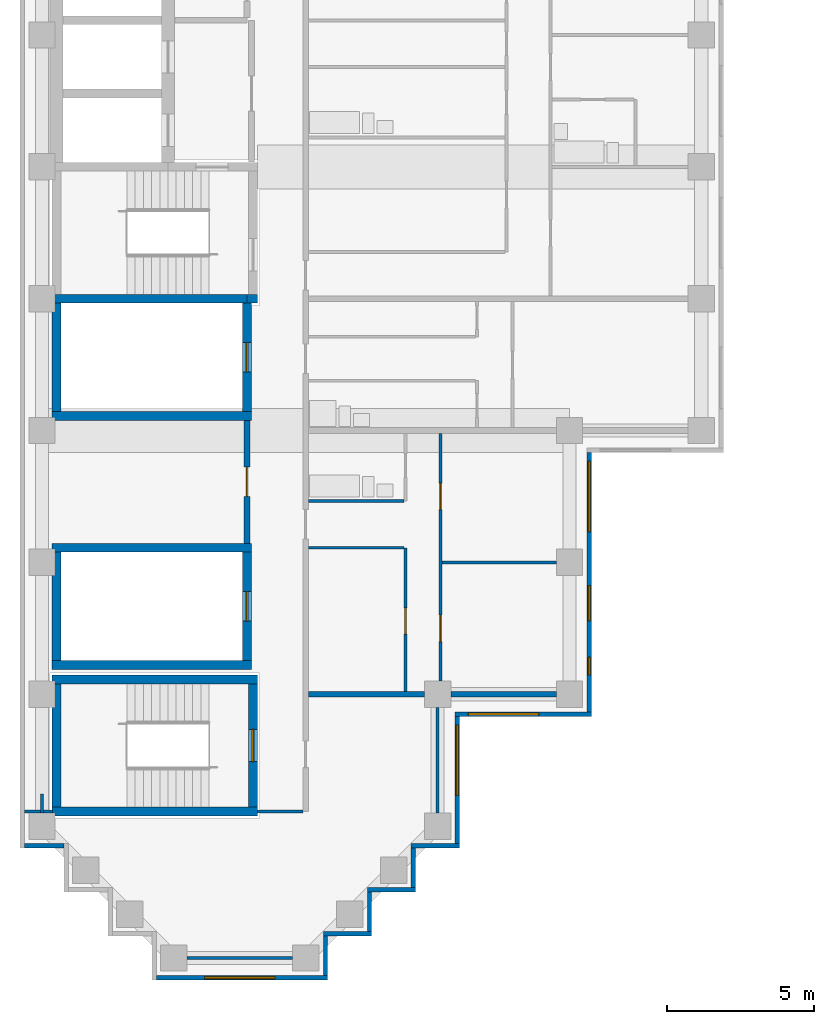
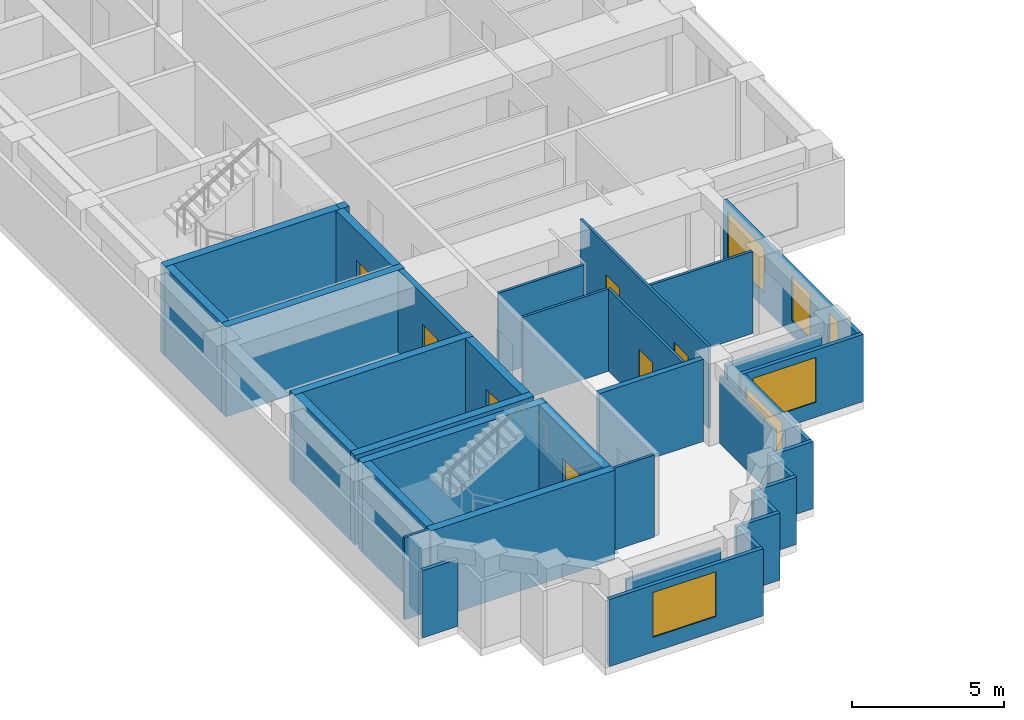
# One storey, part 2 of 10: 37 walls, 7 doors, 6 windows, 13 openings.
"""IFC4 building model written with IfcOpenShell, lengths in metres."""

from ifc_helpers import new_model, si_unit, direction, frame, frame_2d, origin, place, context, subcontext, project, spatial, rectangle, extrude, material, layer, layer_set, type_object, element, fill, save


model = new_model("IFC4")

# Units and contexts
model_context = context("Model", 3, precision=1e-05, world=origin(), true_north=direction((0.0, 1.0)))
body_context = subcontext(model_context, "Body", "Model", "MODEL_VIEW")
ifc_project = project(units=[si_unit("LENGTHUNIT", "METRE"), si_unit("AREAUNIT", "SQUARE_METRE"), si_unit("VOLUMEUNIT", "CUBIC_METRE"), si_unit("PLANEANGLEUNIT", "RADIAN"), si_unit("MASSUNIT", "GRAM", prefix="KILO")], contexts=[model_context])

# Site, building, storey
site_placement = place(None, origin())
site = spatial("IfcSite", under=ifc_project, at=site_placement, CompositionType="ELEMENT")
building_placement = place(site_placement, origin())
building = spatial("IfcBuilding", under=site, at=building_placement, Name="Firuza Court", CompositionType="ELEMENT")
storey_placement = place(building_placement, frame((0.0, 0.0, 189.800048828125)))
storey = spatial("IfcBuildingStorey", under=building, at=storey_placement, Name="L48", CompositionType="ELEMENT", Elevation=189.800048828125)

# Walls
ifc_material_1 = material(Name="Moisture-resistant gypsum board partition")
ifc_layer_1 = layer(ifc_material_1, 0.10009765625)
ifc_layer_set_1 = layer_set([ifc_layer_1], Name="Moisture-resistant gypsum board partition")
wall_type_1 = type_object("IfcWallType", Name="Bathroom partition 100", PredefinedType="PLUMBINGWALL", material=ifc_layer_set_1)
wall_1_placement = place(storey_placement, frame((9.10009765625, 15.60009765625, 0.0), z_axis=(0.0, 0.0, 1.0), x_axis=(1.0, 0.0, 0.0)))
element("IfcWall", 1, at=wall_1_placement, inside=storey, type_object=wall_type_1, Name="Bathroom partition 100 L48", PredefinedType="PLUMBINGWALL", context=body_context, shape_type="SweptSolid", body=[
    extrude(rectangle(XDim=3.25, YDim=0.10009765625, at=frame_2d((1.625, 0.0))), origin(), (0.0, 0.0, 1.0), 3.300048828125),
])
ifc_material_2 = material(Name="Concrete C50/60", Category="concrete")
ifc_layer_2 = layer(ifc_material_2, 0.300048828125)
ifc_layer_set_2 = layer_set([ifc_layer_2], Name="Concrete C50/60")
wall_type_2 = type_object("IfcWallType", Name="Core wall 300 C50/60", PredefinedType="SHEAR", material=ifc_layer_set_2)
for number, where, z_axis, x_axis, name in (
    (2, (0.35009765625, 5.0, -0.300048828125), (0.0, 0.0, 1.0), (1.0, 0.0, 0.0), "Core wall stair L48"),
    (3, (0.35009765625, 9.5, -0.300048828125), (0.0, 0.0, 1.0), (1.0, 0.0, 0.0), "Core wall stair L48"),
):
    element("IfcWall", number, at=place(storey_placement, frame(where, z_axis=z_axis, x_axis=x_axis)), inside=storey, type_object=wall_type_2, Name=name, PredefinedType="SHEAR", context=body_context, shape_type="SweptSolid", body=[
        extrude(rectangle(XDim=7.0, YDim=0.300048828125, at=frame_2d((3.5, 0.0))), origin(), (0.0, 0.0, 1.0), 3.60009765625),
    ])
for number, where, z_axis, x_axis, name in (
    (4, (0.35009765625, 10.0, -0.300048828125), (0.0, 0.0, 1.0), (1.0, 0.0, 0.0), "Core wall riser L48"),
    (5, (0.35009765625, 14.0, -0.300048828125), (0.0, 0.0, 1.0), (1.0, 0.0, 0.0), "Core wall riser L48"),
    (6, (0.35009765625, 18.5, -0.300048828125), (0.0, 0.0, 1.0), (1.0, 0.0, 0.0), "Core wall riser L48"),
):
    element("IfcWall", number, at=place(storey_placement, frame(where, z_axis=z_axis, x_axis=x_axis)), inside=storey, type_object=wall_type_2, Name=name, PredefinedType="SHEAR", context=body_context, shape_type="SweptSolid", body=[
        extrude(rectangle(XDim=6.7998046875, YDim=0.300048828125, at=frame_2d((3.39990234375, 0.0))), origin(), (0.0, 0.0, 1.0), 3.60009765625),
    ])
wall_2_placement = place(storey_placement, frame((0.35009765625, 22.5, -0.300048828125), z_axis=(0.0, 0.0, 1.0), x_axis=(1.0, 0.0, 0.0)))
element("IfcWall", 7, at=wall_2_placement, inside=storey, type_object=wall_type_2, Name="Core wall riser L48", PredefinedType="SHEAR", context=body_context, shape_type="SweptSolid", body=[
    extrude(rectangle(XDim=6.64990234375, YDim=0.300048828125, at=frame_2d((3.324951171875, 0.0))), origin(), (0.0, 0.0, 1.0), 3.60009765625),
])
wall_3_placement = place(storey_placement, frame((0.5, 5.14990234375, -0.300048828125), z_axis=(0.0, 0.0, 1.0), x_axis=(0.0, 1.0, 0.0)))
element("IfcWall", 8, at=wall_3_placement, inside=storey, type_object=wall_type_2, Name="Core wall stair L48", PredefinedType="SHEAR", context=body_context, shape_type="SweptSolid", body=[
    extrude(rectangle(XDim=4.2001953125, YDim=0.300048828125, at=frame_2d((2.10009765625, 0.0))), origin(), (0.0, 0.0, 1.0), 3.60009765625),
])
for number, where, z_axis, x_axis, name in (
    (9, (0.5, 10.14990234375, -0.300048828125), (0.0, 0.0, 1.0), (0.0, 1.0, 0.0), "Core wall riser L48"),
    (10, (0.5, 18.64990234375, -0.300048828125), (0.0, 0.0, 1.0), (0.0, 1.0, 0.0), "Core wall riser L48"),
):
    element("IfcWall", number, at=place(storey_placement, frame(where, z_axis=z_axis, x_axis=x_axis)), inside=storey, type_object=wall_type_2, Name=name, PredefinedType="SHEAR", context=body_context, shape_type="SweptSolid", body=[
        extrude(rectangle(XDim=3.7001953125, YDim=0.300048828125, at=frame_2d((1.85009765625, 0.0))), origin(), (0.0, 0.0, 1.0), 3.60009765625),
    ])

# Wall, opening, door
wall_4_placement = place(storey_placement, frame((7.0, 10.14990234375, -0.300048828125), z_axis=(0.0, 0.0, 1.0), x_axis=(0.0, 1.0, 0.0)))
wall_4 = element("IfcWall", 11, at=wall_4_placement, inside=storey, type_object=wall_type_2, Name="Core wall riser L48", PredefinedType="SHEAR", context=body_context, shape_type="SweptSolid", body=[
    extrude(rectangle(XDim=3.7001953125, YDim=0.300048828125, at=frame_2d((1.85009765625, 0.0))), origin(), (0.0, 0.0, 1.0), 3.60009765625),
])
opening_1_placement = place(wall_4_placement, frame((1.35009765625, 0.0, 0.300048828125)))
opening_1 = element("IfcOpeningElement", 12, at=opening_1_placement, cuts=wall_4, Name="Opening D48010", PredefinedType="OPENING", context=body_context, shape_type="SweptSolid", body=[
    extrude(rectangle(XDim=1.0, YDim=2.10009765625, at=frame_2d((0.5, 1.050048828125))), frame((0.0, 0.162109375, 0.0), z_axis=(0.0, -1.0, 0.0), x_axis=(1.0, 0.0, 0.0)), (0.0, 0.0, 1.0), 0.323974609375),
])
ifc_material_3 = material(Name="Timber door leaf in hardwood frame", Category="wood")
door_type_1 = type_object("IfcDoorType", Name="Riser door 1000", OperationType="SINGLE_SWING_LEFT", PredefinedType="DOOR", material=ifc_material_3)
door_1_placement = place(opening_1_placement, origin())
door_1 = element("IfcDoor", 13, at=door_1_placement, inside=storey, type_object=door_type_1, Name="Riser door R4", OperationType="SINGLE_SWING_LEFT", OverallHeight=2.10009765625, OverallWidth=1.0, PredefinedType="DOOR", context=body_context, shape_type="SweptSolid", body=[
    extrude(rectangle(XDim=1.0, YDim=2.10009765625, at=frame_2d((0.5, 1.050048828125))), frame((0.0, 0.02490234375, 0.0), z_axis=(0.0, -1.0, 0.0), x_axis=(1.0, 0.0, 0.0)), (0.0, 0.0, 1.0), 0.050048828125),
])
fill(opening_1, door_1)

wall_5_placement = place(storey_placement, frame((7.0, 18.64990234375, -0.300048828125), z_axis=(0.0, 0.0, 1.0), x_axis=(0.0, 1.0, 0.0)))
wall_5 = element("IfcWall", 14, at=wall_5_placement, inside=storey, type_object=wall_type_2, Name="Core wall riser L48", PredefinedType="SHEAR", context=body_context, shape_type="SweptSolid", body=[
    extrude(rectangle(XDim=3.7001953125, YDim=0.300048828125, at=frame_2d((1.85009765625, 0.0))), origin(), (0.0, 0.0, 1.0), 3.60009765625),
])
opening_2_placement = place(wall_5_placement, frame((1.35009765625, 0.0, 0.300048828125)))
opening_2 = element("IfcOpeningElement", 15, at=opening_2_placement, cuts=wall_5, Name="Opening D48008", PredefinedType="OPENING", context=body_context, shape_type="SweptSolid", body=[
    extrude(rectangle(XDim=1.0, YDim=2.10009765625, at=frame_2d((0.5, 1.050048828125))), frame((0.0, 0.162109375, 0.0), z_axis=(0.0, -1.0, 0.0), x_axis=(1.0, 0.0, 0.0)), (0.0, 0.0, 1.0), 0.323974609375),
])
door_2_placement = place(opening_2_placement, origin())
door_2 = element("IfcDoor", 16, at=door_2_placement, inside=storey, type_object=door_type_1, Name="Riser door R1", OperationType="SINGLE_SWING_LEFT", OverallHeight=2.10009765625, OverallWidth=1.0, PredefinedType="DOOR", context=body_context, shape_type="SweptSolid", body=[
    extrude(rectangle(XDim=1.0, YDim=2.10009765625, at=frame_2d((0.5, 1.050048828125))), frame((0.0, 0.02490234375, 0.0), z_axis=(0.0, -1.0, 0.0), x_axis=(1.0, 0.0, 0.0)), (0.0, 0.0, 1.0), 0.050048828125),
])
fill(opening_2, door_2)

# Wall
wall_6_placement = place(storey_placement, frame((7.0, 22.5, -0.300048828125), z_axis=(0.0, 0.0, 1.0), x_axis=(1.0, 0.0, 0.0)))
element("IfcWall", 17, at=wall_6_placement, inside=storey, type_object=wall_type_2, Name="Core wall stair L48", PredefinedType="SHEAR", context=body_context, shape_type="SweptSolid", body=[
    extrude(rectangle(XDim=0.35009765625, YDim=0.300048828125, at=frame_2d((0.175048828125, 0.0))), origin(), (0.0, 0.0, 1.0), 3.60009765625),
])

# Wall, opening, door
wall_7_placement = place(storey_placement, frame((7.199951171875, 5.14990234375, -0.300048828125), z_axis=(0.0, 0.0, 1.0), x_axis=(0.0, 1.0, 0.0)))
wall_7 = element("IfcWall", 18, at=wall_7_placement, inside=storey, type_object=wall_type_2, Name="Core wall stair L48", PredefinedType="SHEAR", context=body_context, shape_type="SweptSolid", body=[
    extrude(rectangle(XDim=4.2001953125, YDim=0.300048828125, at=frame_2d((2.10009765625, 0.0))), origin(), (0.0, 0.0, 1.0), 3.60009765625),
])
opening_3_placement = place(wall_7_placement, frame((1.550048828125, 0.0, 0.300048828125)))
opening_3 = element("IfcOpeningElement", 19, at=opening_3_placement, cuts=wall_7, Name="Opening D48015", PredefinedType="OPENING", context=body_context, shape_type="SweptSolid", body=[
    extrude(rectangle(XDim=1.10009765625, YDim=2.10009765625, at=frame_2d((0.550048828125, 1.050048828125))), frame((0.0, 0.162109375, 0.0), z_axis=(0.0, -1.0, 0.0), x_axis=(1.0, 0.0, 0.0)), (0.0, 0.0, 1.0), 0.323974609375),
])
ifc_material_4 = material(Name="Timber door leaf in hardwood frame", Category="wood")
door_type_2 = type_object("IfcDoorType", Name="Stair door 1100", OperationType="SINGLE_SWING_LEFT", PredefinedType="DOOR", material=ifc_material_4)
door_3_placement = place(opening_3_placement, origin())
door_3 = element("IfcDoor", 20, at=door_3_placement, inside=storey, type_object=door_type_2, Name="Stair door S5", OperationType="SINGLE_SWING_LEFT", OverallHeight=2.10009765625, OverallWidth=1.10009765625, PredefinedType="DOOR", context=body_context, shape_type="SweptSolid", body=[
    extrude(rectangle(XDim=1.10009765625, YDim=2.10009765625, at=frame_2d((0.550048828125, 1.050048828125))), frame((0.0, 0.02490234375, 0.0), z_axis=(0.0, -1.0, 0.0), x_axis=(1.0, 0.0, 0.0)), (0.0, 0.0, 1.0), 0.050048828125),
])
fill(opening_3, door_3)

ifc_material_5 = material(Name="Blockwork, plastered both sides", Category="masonry")
ifc_layer_3 = layer(ifc_material_5, 0.199951171875)
ifc_layer_set_3 = layer_set([ifc_layer_3], Name="Blockwork, plastered both sides")
wall_type_3 = type_object("IfcWallType", Name="Corridor wall 200", PredefinedType="PARTITIONING", material=ifc_layer_set_3)
wall_8_placement = place(storey_placement, frame((7.0, 14.14990234375, 0.0), z_axis=(0.0, 0.0, 1.0), x_axis=(0.0, 1.0, 0.0)))
wall_8 = element("IfcWall", 21, at=wall_8_placement, inside=storey, type_object=wall_type_3, Name="Corridor wall 200 L48", PredefinedType="PARTITIONING", context=body_context, shape_type="SweptSolid", body=[
    extrude(rectangle(XDim=4.2001953125, YDim=0.199951171875, at=frame_2d((2.10009765625, 0.0))), origin(), (0.0, 0.0, 1.0), 3.300048828125),
])
opening_4_placement = place(wall_8_placement, frame((1.60009765625, 0.0, 0.0)))
opening_4 = element("IfcOpeningElement", 22, at=opening_4_placement, cuts=wall_8, Name="Opening D48023", PredefinedType="OPENING", context=body_context, shape_type="SweptSolid", body=[
    extrude(rectangle(XDim=1.0, YDim=2.10009765625, at=frame_2d((0.5, 1.050048828125))), frame((0.0, 0.11181640625, 0.0), z_axis=(0.0, -1.0, 0.0), x_axis=(1.0, 0.0, 0.0)), (0.0, 0.0, 1.0), 0.223876953125),
])
ifc_material_6 = material(Name="Timber door leaf in hardwood frame", Category="wood")
door_type_3 = type_object("IfcDoorType", Name="Store door 1000", OperationType="SINGLE_SWING_LEFT", PredefinedType="DOOR", material=ifc_material_6)
door_4_placement = place(opening_4_placement, origin())
door_4 = element("IfcDoor", 23, at=door_4_placement, inside=storey, type_object=door_type_3, Name="Electrical room door", OperationType="SINGLE_SWING_LEFT", OverallHeight=2.10009765625, OverallWidth=1.0, PredefinedType="DOOR", context=body_context, shape_type="SweptSolid", body=[
    extrude(rectangle(XDim=1.0, YDim=2.10009765625, at=frame_2d((0.5, 1.050048828125))), frame((0.0, 0.02490234375, 0.0), z_axis=(0.0, -1.0, 0.0), x_axis=(1.0, 0.0, 0.0)), (0.0, 0.0, 1.0), 0.050048828125),
])
fill(opening_4, door_4)

# Walls
ifc_material_7 = material(Name="Timber stud partition, plasterboard both sides", Category="wood")
ifc_layer_4 = layer(ifc_material_7, 0.10009765625)
ifc_layer_set_4 = layer_set([ifc_layer_4], Name="Timber stud partition, plasterboard both sides")
wall_type_4 = type_object("IfcWallType", Name="Partition wall 100", PredefinedType="PARTITIONING", material=ifc_layer_set_4)
wall_9_placement = place(storey_placement, frame((4.949951171875, 0.0, 0.0), z_axis=(0.0, 0.0, 1.0), x_axis=(1.0, 0.0, 0.0)))
element("IfcWall", 24, at=wall_9_placement, inside=storey, type_object=wall_type_4, Name="Partition wall 100 L48", PredefinedType="PARTITIONING", context=body_context, shape_type="SweptSolid", body=[
    extrude(rectangle(XDim=3.60009765625, YDim=0.10009765625, at=frame_2d((1.800048828125, 0.0))), origin(), (0.0, 0.0, 1.0), 2.699951171875),
])
wall_10_placement = place(storey_placement, frame((0.0, 4.949951171875, 0.0), z_axis=(0.0, 0.0, 1.0), x_axis=(0.0, 1.0, 0.0)))
element("IfcWall", 25, at=wall_10_placement, inside=storey, type_object=wall_type_4, Name="Partition wall 100 L48", PredefinedType="PARTITIONING", context=body_context, shape_type="SweptSolid", body=[
    extrude(rectangle(XDim=0.650146484375, YDim=0.10009765625, at=frame_2d((0.3251953125, 0.0))), origin(), (0.0, 0.0, 1.0), 2.699951171875),
])
wall_11_placement = place(storey_placement, frame((13.5, 4.949951171875, 0.0), z_axis=(0.0, 0.0, 1.0), x_axis=(0.0, 1.0, 0.0)))
element("IfcWall", 26, at=wall_11_placement, inside=storey, type_object=wall_type_4, Name="Partition wall 100 L48", PredefinedType="PARTITIONING", context=body_context, shape_type="SweptSolid", body=[
    extrude(rectangle(XDim=3.60009765625, YDim=0.10009765625, at=frame_2d((1.800048828125, 0.0))), origin(), (0.0, 0.0, 1.0), 2.699951171875),
])
wall_12_placement = place(storey_placement, frame((-0.60009765625, 5.0, 0.0), z_axis=(0.0, 0.0, 1.0), x_axis=(1.0, 0.0, 0.0)))
element("IfcWall", 27, at=wall_12_placement, inside=storey, type_object=wall_type_4, Name="Partition wall 100 L48", PredefinedType="PARTITIONING", context=body_context, shape_type="SweptSolid", body=[
    extrude(rectangle(XDim=0.951171875, YDim=0.10009765625, at=frame_2d((0.4755859375, 0.0))), origin(), (0.0, 0.0, 1.0), 3.300048828125),
])
wall_13_placement = place(storey_placement, frame((7.34912109375, 5.0, 0.0), z_axis=(0.0, 0.0, 1.0), x_axis=(1.0, 0.0, 0.0)))
element("IfcWall", 28, at=wall_13_placement, inside=storey, type_object=wall_type_4, Name="Partition wall 100 L48", PredefinedType="PARTITIONING", context=body_context, shape_type="SweptSolid", body=[
    extrude(rectangle(XDim=1.55078125, YDim=0.10009765625, at=frame_2d((0.775390625, 0.0))), origin(), (0.0, 0.0, 1.0), 3.300048828125),
])

# Wall, opening, door
wall_14_placement = place(storey_placement, frame((12.39990234375, 9.10009765625, 0.0), z_axis=(0.0, 0.0, 1.0), x_axis=(0.0, 1.0, 0.0)))
wall_14 = element("IfcWall", 29, at=wall_14_placement, inside=storey, type_object=wall_type_4, Name="Partition wall 100 L48", PredefinedType="PARTITIONING", context=body_context, shape_type="SweptSolid", body=[
    extrude(rectangle(XDim=4.89990234375, YDim=0.10009765625, at=frame_2d((2.449951171875, 0.0))), origin(), (0.0, 0.0, 1.0), 3.300048828125),
])
opening_5_placement = place(wall_14_placement, frame((1.949951171875, 0.0, 0.0)))
opening_5 = element("IfcOpeningElement", 30, at=opening_5_placement, cuts=wall_14, Name="Opening D48020", PredefinedType="OPENING", context=body_context, shape_type="SweptSolid", body=[
    extrude(rectangle(XDim=0.89990234375, YDim=2.10009765625, at=frame_2d((0.449951171875, 1.050048828125))), frame((0.0, 0.06201171875, 0.0), z_axis=(0.0, -1.0, 0.0), x_axis=(1.0, 0.0, 0.0)), (0.0, 0.0, 1.0), 0.1240234375),
])
ifc_material_8 = material(Name="Timber door leaf in hardwood frame", Category="wood")
door_type_4 = type_object("IfcDoorType", Name="Room door 900", OperationType="SINGLE_SWING_LEFT", PredefinedType="DOOR", material=ifc_material_8)
door_5_placement = place(opening_5_placement, origin())
door_5 = element("IfcDoor", 31, at=door_5_placement, inside=storey, type_object=door_type_4, Name="Kitchen door", OperationType="SINGLE_SWING_LEFT", OverallHeight=2.10009765625, OverallWidth=0.89990234375, PredefinedType="DOOR", context=body_context, shape_type="SweptSolid", body=[
    extrude(rectangle(XDim=0.89990234375, YDim=2.10009765625, at=frame_2d((0.449951171875, 1.050048828125))), frame((0.0, 0.02490234375, 0.0), z_axis=(0.0, -1.0, 0.0), x_axis=(1.0, 0.0, 0.0)), (0.0, 0.0, 1.0), 0.050048828125),
])
fill(opening_5, door_5)

# Wall, openings, doors
wall_15_placement = place(storey_placement, frame((13.60009765625, 9.449951171875, 0.0), z_axis=(0.0, 0.0, 1.0), x_axis=(0.0, 1.0, 0.0)))
wall_15 = element("IfcWall", 32, at=wall_15_placement, inside=storey, type_object=wall_type_4, Name="Partition wall 100 L48", PredefinedType="PARTITIONING", context=body_context, shape_type="SweptSolid", body=[
    extrude(rectangle(XDim=8.449951171875, YDim=0.10009765625, at=frame_2d((4.22509765625, 0.0))), origin(), (0.0, 0.0, 1.0), 3.300048828125),
])
opening_6_placement = place(wall_15_placement, frame((1.35009765625, 0.0, 0.0)))
opening_6 = element("IfcOpeningElement", 33, at=opening_6_placement, cuts=wall_15, Name="Opening D48021", PredefinedType="OPENING", context=body_context, shape_type="SweptSolid", body=[
    extrude(rectangle(XDim=0.89990234375, YDim=2.10009765625, at=frame_2d((0.449951171875, 1.050048828125))), frame((0.0, 0.06201171875, 0.0), z_axis=(0.0, -1.0, 0.0), x_axis=(1.0, 0.0, 0.0)), (0.0, 0.0, 1.0), 0.1240234375),
])
opening_7_placement = place(wall_15_placement, frame((5.85009765625, 0.0, 0.0)))
opening_7 = element("IfcOpeningElement", 34, at=opening_7_placement, cuts=wall_15, Name="Opening D48022", PredefinedType="OPENING", context=body_context, shape_type="SweptSolid", body=[
    extrude(rectangle(XDim=0.89990234375, YDim=2.10009765625, at=frame_2d((0.449951171875, 1.050048828125))), frame((0.0, 0.06201171875, 0.0), z_axis=(0.0, -1.0, 0.0), x_axis=(1.0, 0.0, 0.0)), (0.0, 0.0, 1.0), 0.1240234375),
])
door_6_placement = place(opening_6_placement, frame((0.89990234375, 0.0, 0.0), z_axis=(0.0, 0.0, 1.0), x_axis=(-1.0, 0.0, 0.0)))
door_6 = element("IfcDoor", 35, at=door_6_placement, inside=storey, type_object=door_type_4, Name="Living room door", OperationType="SINGLE_SWING_RIGHT", OverallHeight=2.10009765625, OverallWidth=0.89990234375, PredefinedType="DOOR", context=body_context, shape_type="SweptSolid", body=[
    extrude(rectangle(XDim=0.89990234375, YDim=2.10009765625, at=frame_2d((0.449951171875, 1.050048828125))), frame((0.0, 0.02490234375, 0.0), z_axis=(0.0, -1.0, 0.0), x_axis=(1.0, 0.0, 0.0)), (0.0, 0.0, 1.0), 0.050048828125),
])
fill(opening_6, door_6)
door_7_placement = place(opening_7_placement, frame((0.89990234375, 0.0, 0.0), z_axis=(0.0, 0.0, 1.0), x_axis=(-1.0, 0.0, 0.0)))
door_7 = element("IfcDoor", 36, at=door_7_placement, inside=storey, type_object=door_type_4, Name="Bedroom door", OperationType="SINGLE_SWING_RIGHT", OverallHeight=2.10009765625, OverallWidth=0.89990234375, PredefinedType="DOOR", context=body_context, shape_type="SweptSolid", body=[
    extrude(rectangle(XDim=0.89990234375, YDim=2.10009765625, at=frame_2d((0.449951171875, 1.050048828125))), frame((0.0, 0.02490234375, 0.0), z_axis=(0.0, -1.0, 0.0), x_axis=(1.0, 0.0, 0.0)), (0.0, 0.0, 1.0), 0.050048828125),
])
fill(opening_7, door_7)

# Walls
wall_16_placement = place(storey_placement, frame((13.64990234375, 13.5, 0.0), z_axis=(0.0, 0.0, 1.0), x_axis=(1.0, 0.0, 0.0)))
element("IfcWall", 37, at=wall_16_placement, inside=storey, type_object=wall_type_4, Name="Partition wall 100 L48", PredefinedType="PARTITIONING", context=body_context, shape_type="SweptSolid", body=[
    extrude(rectangle(XDim=3.900146484375, YDim=0.10009765625, at=frame_2d((1.9501953125, 0.0))), origin(), (0.0, 0.0, 1.0), 3.300048828125),
])
wall_17_placement = place(storey_placement, frame((9.10009765625, 14.0, 0.0), z_axis=(0.0, 0.0, 1.0), x_axis=(1.0, 0.0, 0.0)))
element("IfcWall", 38, at=wall_17_placement, inside=storey, type_object=wall_type_4, Name="Partition wall 100 L48", PredefinedType="PARTITIONING", context=body_context, shape_type="SweptSolid", body=[
    extrude(rectangle(XDim=3.25, YDim=0.10009765625, at=frame_2d((1.625, 0.0))), origin(), (0.0, 0.0, 1.0), 3.300048828125),
])
ifc_layer_5 = layer(ifc_material_5, 0.199951171875)
ifc_layer_set_5 = layer_set([ifc_layer_5], Name="Blockwork, plastered both sides")
wall_type_5 = type_object("IfcWallType", Name="Party wall 200", PredefinedType="PARTITIONING", material=ifc_layer_set_5)
wall_18_placement = place(storey_placement, frame((9.10009765625, 9.0, 0.0), z_axis=(0.0, 0.0, 1.0), x_axis=(1.0, 0.0, 0.0)))
element("IfcWall", 39, at=wall_18_placement, inside=storey, type_object=wall_type_5, Name="Party wall 200 L48", PredefinedType="PARTITIONING", context=body_context, shape_type="SweptSolid", body=[
    extrude(rectangle(XDim=3.949951171875, YDim=0.199951171875, at=frame_2d((1.97509765625, 0.0))), origin(), (0.0, 0.0, 1.0), 3.300048828125),
])
wall_19_placement = place(storey_placement, frame((13.949951171875, 9.0, 0.0), z_axis=(0.0, 0.0, 1.0), x_axis=(1.0, 0.0, 0.0)))
element("IfcWall", 40, at=wall_19_placement, inside=storey, type_object=wall_type_5, Name="Party wall 200 L48", PredefinedType="PARTITIONING", context=body_context, shape_type="SweptSolid", body=[
    extrude(rectangle(XDim=3.60009765625, YDim=0.199951171875, at=frame_2d((1.800048828125, 0.0))), origin(), (0.0, 0.0, 1.0), 2.699951171875),
])
ifc_material_9 = material(Name="Ceramic tile", Category="ceramic")
ifc_layer_6 = layer(ifc_material_9, 0.02001953125)
ifc_material_10 = material(Name="Mineral wool insulation", Category="insulation")
ifc_layer_7 = layer(ifc_material_10, 0.050048828125)
ifc_material_11 = material(Name="Concrete C40/50 precast", Category="concrete")
ifc_layer_8 = layer(ifc_material_11, 0.080078125)
ifc_layer_set_6 = layer_set([ifc_layer_6, ifc_layer_7, ifc_layer_8], Name="Concrete C40/50 precast")
wall_type_6 = type_object("IfcWallType", Name="Precast cladding wall with turquoise TILE PANEL face 150", PredefinedType="STANDARD", material=ifc_layer_set_6)
wall_20_placement = place(storey_placement, frame((-0.60009765625, 3.824951171875, 0.0), z_axis=(0.0, 0.0, 1.0), x_axis=(1.0, 0.0, 0.0)))
element("IfcWall", 41, at=wall_20_placement, inside=storey, type_object=wall_type_6, Name="Facade wall L48 S", PredefinedType="STANDARD", context=body_context, shape_type="SweptSolid", body=[
    extrude(rectangle(XDim=1.35009765625, YDim=0.14990234375, at=frame_2d((0.675048828125, 0.0))), origin(), (0.0, 0.0, 1.0), 2.699951171875),
])

# Wall, opening, window
wall_21_placement = place(storey_placement, frame((3.89990234375, -0.675048828125, 0.0), z_axis=(0.0, 0.0, 1.0), x_axis=(1.0, 0.0, 0.0)))
wall_21 = element("IfcWall", 42, at=wall_21_placement, inside=storey, type_object=wall_type_6, Name="Facade wall L48 S", PredefinedType="STANDARD", context=body_context, shape_type="SweptSolid", body=[
    extrude(rectangle(XDim=5.85009765625, YDim=0.14990234375, at=frame_2d((2.925048828125, 0.0))), origin(), (0.0, 0.0, 1.0), 2.699951171875),
])
opening_8_placement = place(wall_21_placement, frame((1.64990234375, 0.0, 0.60009765625)))
opening_8 = element("IfcOpeningElement", 43, at=opening_8_placement, cuts=wall_21, Name="Opening W1", PredefinedType="OPENING", context=body_context, shape_type="SweptSolid", body=[
    extrude(rectangle(XDim=2.39990234375, YDim=1.800048828125, at=frame_2d((1.199951171875, 0.89990234375))), frame((0.0, 0.0869140625, 0.0), z_axis=(0.0, -1.0, 0.0), x_axis=(1.0, 0.0, 0.0)), (0.0, 0.0, 1.0), 0.173828125),
])
ifc_material_12 = material(Name="Aluminium frame, triple clear glazing", Category="aluminium")
window_type_1 = type_object("IfcWindowType", Name="Window W1 2400 x 1800", PartitioningType="SINGLE_PANEL", PredefinedType="WINDOW", material=ifc_material_12)
window_1_placement = place(opening_8_placement, origin())
window_1 = element("IfcWindow", 44, at=window_1_placement, inside=storey, type_object=window_type_1, Name="Window L48", OverallHeight=1.800048828125, OverallWidth=2.39990234375, PartitioningType="SINGLE_PANEL", PredefinedType="WINDOW", context=body_context, shape_type="SweptSolid", body=[
    extrude(rectangle(XDim=2.39990234375, YDim=1.800048828125, at=frame_2d((1.199951171875, 0.89990234375))), frame((0.0, 0.030029296875, 0.0), z_axis=(0.0, -1.0, 0.0), x_axis=(1.0, 0.0, 0.0)), (0.0, 0.0, 1.0), 0.06005859375),
])
fill(opening_8, window_1)

# Walls
wall_22_placement = place(storey_placement, frame((9.675048828125, -0.60009765625, 0.0), z_axis=(0.0, 0.0, 1.0), x_axis=(0.0, 1.0, 0.0)))
element("IfcWall", 45, at=wall_22_placement, inside=storey, type_object=wall_type_6, Name="Facade wall L48 E", PredefinedType="STANDARD", context=body_context, shape_type="SweptSolid", body=[
    extrude(rectangle(XDim=1.35009765625, YDim=0.14990234375, at=frame_2d((0.675048828125, 0.0))), origin(), (0.0, 0.0, 1.0), 2.699951171875),
])
wall_23_placement = place(storey_placement, frame((9.60009765625, 0.824951171875, 0.0), z_axis=(0.0, 0.0, 1.0), x_axis=(1.0, 0.0, 0.0)))
element("IfcWall", 46, at=wall_23_placement, inside=storey, type_object=wall_type_6, Name="Facade wall L48 S", PredefinedType="STANDARD", context=body_context, shape_type="SweptSolid", body=[
    extrude(rectangle(XDim=1.64990234375, YDim=0.14990234375, at=frame_2d((0.824951171875, 0.0))), origin(), (0.0, 0.0, 1.0), 2.699951171875),
])
wall_24_placement = place(storey_placement, frame((11.175048828125, 0.89990234375, 0.0), z_axis=(0.0, 0.0, 1.0), x_axis=(0.0, 1.0, 0.0)))
element("IfcWall", 47, at=wall_24_placement, inside=storey, type_object=wall_type_6, Name="Facade wall L48 E", PredefinedType="STANDARD", context=body_context, shape_type="SweptSolid", body=[
    extrude(rectangle(XDim=1.35009765625, YDim=0.14990234375, at=frame_2d((0.675048828125, 0.0))), origin(), (0.0, 0.0, 1.0), 2.699951171875),
])
wall_25_placement = place(storey_placement, frame((11.10009765625, 2.324951171875, 0.0), z_axis=(0.0, 0.0, 1.0), x_axis=(1.0, 0.0, 0.0)))
element("IfcWall", 48, at=wall_25_placement, inside=storey, type_object=wall_type_6, Name="Facade wall L48 S", PredefinedType="STANDARD", context=body_context, shape_type="SweptSolid", body=[
    extrude(rectangle(XDim=1.64990234375, YDim=0.14990234375, at=frame_2d((0.824951171875, 0.0))), origin(), (0.0, 0.0, 1.0), 2.699951171875),
])
wall_26_placement = place(storey_placement, frame((12.675048828125, 2.39990234375, 0.0), z_axis=(0.0, 0.0, 1.0), x_axis=(0.0, 1.0, 0.0)))
element("IfcWall", 49, at=wall_26_placement, inside=storey, type_object=wall_type_6, Name="Facade wall L48 E", PredefinedType="STANDARD", context=body_context, shape_type="SweptSolid", body=[
    extrude(rectangle(XDim=1.35009765625, YDim=0.14990234375, at=frame_2d((0.675048828125, 0.0))), origin(), (0.0, 0.0, 1.0), 2.699951171875),
])
wall_27_placement = place(storey_placement, frame((12.60009765625, 3.824951171875, 0.0), z_axis=(0.0, 0.0, 1.0), x_axis=(1.0, 0.0, 0.0)))
element("IfcWall", 50, at=wall_27_placement, inside=storey, type_object=wall_type_6, Name="Facade wall L48 S", PredefinedType="STANDARD", context=body_context, shape_type="SweptSolid", body=[
    extrude(rectangle(XDim=1.64990234375, YDim=0.14990234375, at=frame_2d((0.824951171875, 0.0))), origin(), (0.0, 0.0, 1.0), 2.699951171875),
])

# Wall, opening, window
wall_28_placement = place(storey_placement, frame((14.175048828125, 3.89990234375, 0.0), z_axis=(0.0, 0.0, 1.0), x_axis=(0.0, 1.0, 0.0)))
wall_28 = element("IfcWall", 51, at=wall_28_placement, inside=storey, type_object=wall_type_6, Name="Facade wall L48 E", PredefinedType="STANDARD", context=body_context, shape_type="SweptSolid", body=[
    extrude(rectangle(XDim=4.35009765625, YDim=0.14990234375, at=frame_2d((2.175048828125, 0.0))), origin(), (0.0, 0.0, 1.0), 2.699951171875),
])
opening_9_placement = place(wall_28_placement, frame((1.64990234375, 0.0, 0.60009765625)))
opening_9 = element("IfcOpeningElement", 52, at=opening_9_placement, cuts=wall_28, Name="Opening W1", PredefinedType="OPENING", context=body_context, shape_type="SweptSolid", body=[
    extrude(rectangle(XDim=2.39990234375, YDim=1.800048828125, at=frame_2d((1.199951171875, 0.89990234375))), frame((0.0, 0.0869140625, 0.0), z_axis=(0.0, -1.0, 0.0), x_axis=(1.0, 0.0, 0.0)), (0.0, 0.0, 1.0), 0.173828125),
])
window_2_placement = place(opening_9_placement, origin())
window_2 = element("IfcWindow", 53, at=window_2_placement, inside=storey, type_object=window_type_1, Name="Window L48", OverallHeight=1.800048828125, OverallWidth=2.39990234375, PartitioningType="SINGLE_PANEL", PredefinedType="WINDOW", context=body_context, shape_type="SweptSolid", body=[
    extrude(rectangle(XDim=2.39990234375, YDim=1.800048828125, at=frame_2d((1.199951171875, 0.89990234375))), frame((0.0, 0.030029296875, 0.0), z_axis=(0.0, -1.0, 0.0), x_axis=(1.0, 0.0, 0.0)), (0.0, 0.0, 1.0), 0.06005859375),
])
fill(opening_9, window_2)

wall_29_placement = place(storey_placement, frame((14.10009765625, 8.324951171875, 0.0), z_axis=(0.0, 0.0, 1.0), x_axis=(1.0, 0.0, 0.0)))
wall_29 = element("IfcWall", 54, at=wall_29_placement, inside=storey, type_object=wall_type_6, Name="Facade wall L48 S", PredefinedType="STANDARD", context=body_context, shape_type="SweptSolid", body=[
    extrude(rectangle(XDim=4.64990234375, YDim=0.14990234375, at=frame_2d((2.324951171875, 0.0))), origin(), (0.0, 0.0, 1.0), 2.699951171875),
])
opening_10_placement = place(wall_29_placement, frame((0.449951171875, 0.0, 0.60009765625)))
opening_10 = element("IfcOpeningElement", 55, at=opening_10_placement, cuts=wall_29, Name="Opening W1", PredefinedType="OPENING", context=body_context, shape_type="SweptSolid", body=[
    extrude(rectangle(XDim=2.39990234375, YDim=1.800048828125, at=frame_2d((1.199951171875, 0.89990234375))), frame((0.0, 0.0869140625, 0.0), z_axis=(0.0, -1.0, 0.0), x_axis=(1.0, 0.0, 0.0)), (0.0, 0.0, 1.0), 0.173828125),
])
window_3_placement = place(opening_10_placement, origin())
window_3 = element("IfcWindow", 56, at=window_3_placement, inside=storey, type_object=window_type_1, Name="Window L48", OverallHeight=1.800048828125, OverallWidth=2.39990234375, PartitioningType="SINGLE_PANEL", PredefinedType="WINDOW", context=body_context, shape_type="SweptSolid", body=[
    extrude(rectangle(XDim=2.39990234375, YDim=1.800048828125, at=frame_2d((1.199951171875, 0.89990234375))), frame((0.0, 0.030029296875, 0.0), z_axis=(0.0, -1.0, 0.0), x_axis=(1.0, 0.0, 0.0)), (0.0, 0.0, 1.0), 0.06005859375),
])
fill(opening_10, window_3)

# Wall, openings, windows
wall_30_placement = place(storey_placement, frame((18.675048828125, 8.39990234375, 0.0), z_axis=(0.0, 0.0, 1.0), x_axis=(0.0, 1.0, 0.0)))
wall_30 = element("IfcWall", 57, at=wall_30_placement, inside=storey, type_object=wall_type_6, Name="Facade wall L48 E", PredefinedType="STANDARD", context=body_context, shape_type="SweptSolid", body=[
    extrude(rectangle(XDim=8.85009765625, YDim=0.14990234375, at=frame_2d((4.425048828125, 0.0))), origin(), (0.0, 0.0, 1.0), 2.699951171875),
])
opening_11_placement = place(wall_30_placement, frame((1.25927734375, 0.0, 0.60009765625)))
opening_11 = element("IfcOpeningElement", 58, at=opening_11_placement, cuts=wall_30, Name="Opening W4", PredefinedType="OPENING", context=body_context, shape_type="SweptSolid", body=[
    extrude(rectangle(XDim=0.60009765625, YDim=1.800048828125, at=frame_2d((0.300048828125, 0.89990234375))), frame((0.0, 0.0869140625, 0.0), z_axis=(0.0, -1.0, 0.0), x_axis=(1.0, 0.0, 0.0)), (0.0, 0.0, 1.0), 0.173828125),
])
opening_12_placement = place(wall_30_placement, frame((3.109619140625, 0.0, 0.60009765625)))
opening_12 = element("IfcOpeningElement", 59, at=opening_12_placement, cuts=wall_30, Name="Opening W8", PredefinedType="OPENING", context=body_context, shape_type="SweptSolid", body=[
    extrude(rectangle(XDim=1.199951171875, YDim=1.800048828125, at=frame_2d((0.60009765625, 0.89990234375))), frame((0.0, 0.0869140625, 0.0), z_axis=(0.0, -1.0, 0.0), x_axis=(1.0, 0.0, 0.0)), (0.0, 0.0, 1.0), 0.173828125),
])
opening_13_placement = place(wall_30_placement, frame((6.14990234375, 0.0, 0.60009765625)))
opening_13 = element("IfcOpeningElement", 60, at=opening_13_placement, cuts=wall_30, Name="Opening W1", PredefinedType="OPENING", context=body_context, shape_type="SweptSolid", body=[
    extrude(rectangle(XDim=2.39990234375, YDim=1.800048828125, at=frame_2d((1.199951171875, 0.89990234375))), frame((0.0, 0.0869140625, 0.0), z_axis=(0.0, -1.0, 0.0), x_axis=(1.0, 0.0, 0.0)), (0.0, 0.0, 1.0), 0.173828125),
])
window_4_placement = place(opening_13_placement, origin())
window_4 = element("IfcWindow", 61, at=window_4_placement, inside=storey, type_object=window_type_1, Name="Window L48", OverallHeight=1.800048828125, OverallWidth=2.39990234375, PartitioningType="SINGLE_PANEL", PredefinedType="WINDOW", context=body_context, shape_type="SweptSolid", body=[
    extrude(rectangle(XDim=2.39990234375, YDim=1.800048828125, at=frame_2d((1.199951171875, 0.89990234375))), frame((0.0, 0.030029296875, 0.0), z_axis=(0.0, -1.0, 0.0), x_axis=(1.0, 0.0, 0.0)), (0.0, 0.0, 1.0), 0.06005859375),
])
fill(opening_13, window_4)
ifc_material_13 = material(Name="Aluminium frame, triple clear glazing", Category="aluminium")
window_type_2 = type_object("IfcWindowType", Name="Window W4 600 x 1800", PartitioningType="SINGLE_PANEL", PredefinedType="WINDOW", material=ifc_material_13)
window_5_placement = place(opening_11_placement, origin())
window_5 = element("IfcWindow", 62, at=window_5_placement, inside=storey, type_object=window_type_2, Name="Window L48", OverallHeight=1.800048828125, OverallWidth=0.60009765625, PartitioningType="SINGLE_PANEL", PredefinedType="WINDOW", context=body_context, shape_type="SweptSolid", body=[
    extrude(rectangle(XDim=0.60009765625, YDim=1.800048828125, at=frame_2d((0.300048828125, 0.89990234375))), frame((0.0, 0.030029296875, 0.0), z_axis=(0.0, -1.0, 0.0), x_axis=(1.0, 0.0, 0.0)), (0.0, 0.0, 1.0), 0.06005859375),
])
fill(opening_11, window_5)
ifc_material_14 = material(Name="Aluminium frame, triple clear glazing", Category="aluminium")
window_type_3 = type_object("IfcWindowType", Name="Window W8 1200 x 1800", PartitioningType="SINGLE_PANEL", PredefinedType="WINDOW", material=ifc_material_14)
window_6_placement = place(opening_12_placement, origin())
window_6 = element("IfcWindow", 63, at=window_6_placement, inside=storey, type_object=window_type_3, Name="Window L48", OverallHeight=1.800048828125, OverallWidth=1.199951171875, PartitioningType="SINGLE_PANEL", PredefinedType="WINDOW", context=body_context, shape_type="SweptSolid", body=[
    extrude(rectangle(XDim=1.199951171875, YDim=1.800048828125, at=frame_2d((0.60009765625, 0.89990234375))), frame((0.0, 0.030029296875, 0.0), z_axis=(0.0, -1.0, 0.0), x_axis=(1.0, 0.0, 0.0)), (0.0, 0.0, 1.0), 0.06005859375),
])
fill(opening_12, window_6)

save(model, "model.ifc")
